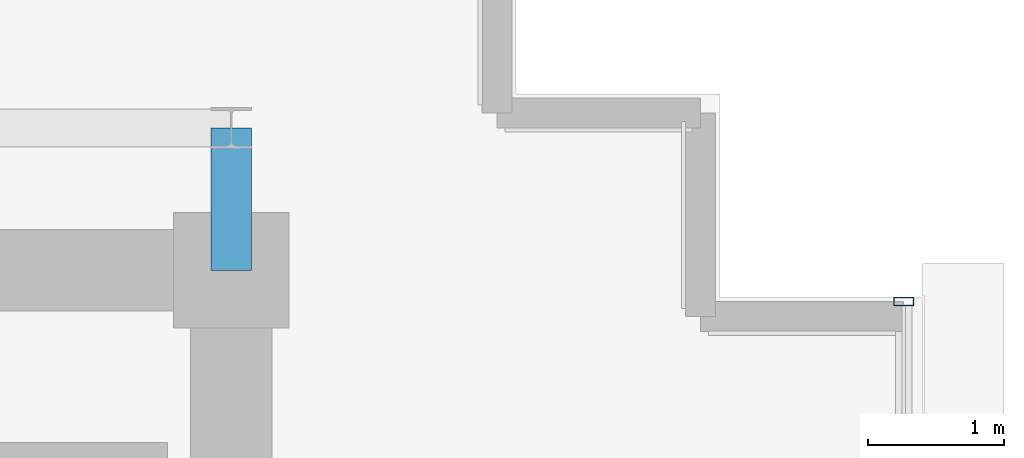
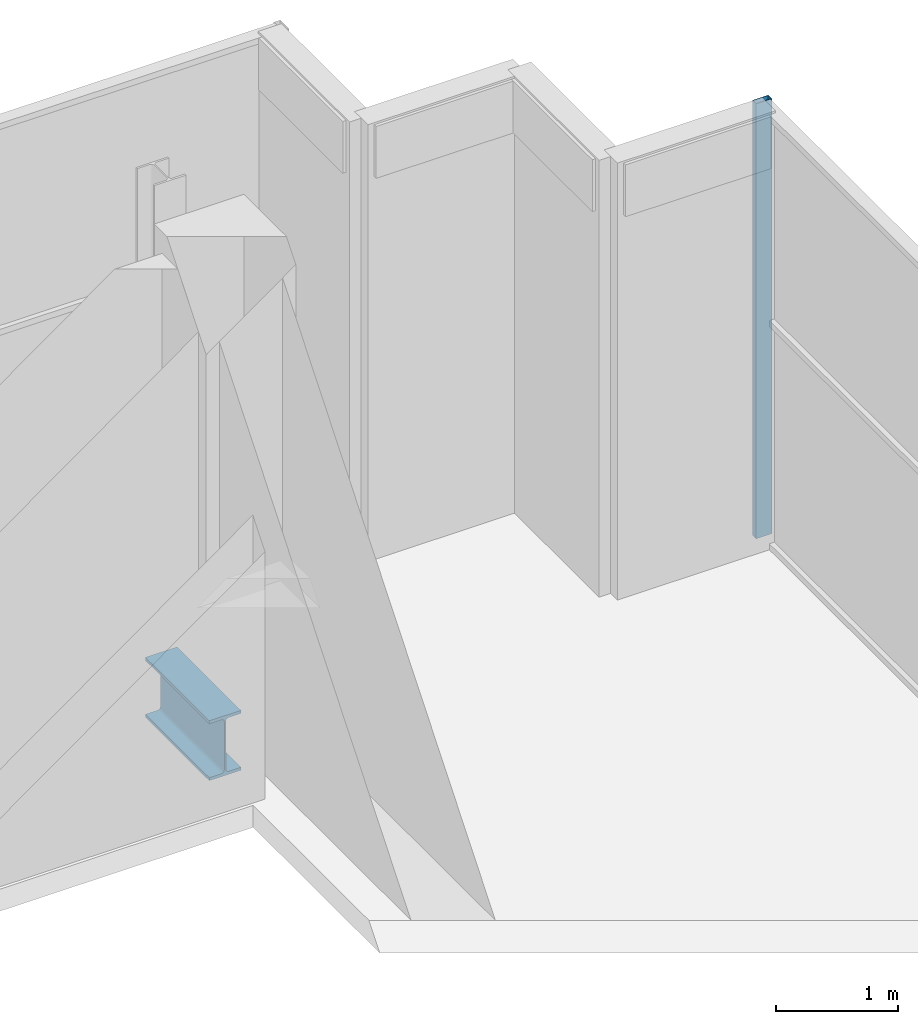
# One storey, part 18 of 26: 1 beam, 1 member, 1 element without a shape of its own.
"""IFC4 building model written with IfcOpenShell, lengths in metres."""

from ifc_helpers import new_model, si_unit, direction, frame, origin, origin_2d, place, context, subcontext, project, spatial, hollow_rectangle, i_section, extrude, source, transform, mapped, material, layer, layer_set, material_profile, profile_set, type_object, element, aggregate, save


model = new_model("IFC4")

# Units and contexts
model_context = context("Model", 3, precision=1e-05, world=origin(), true_north=direction((0.0, 1.0)))
body_context = subcontext(model_context, "Body", "Model", "MODEL_VIEW")
ifc_project = project(units=[si_unit("LENGTHUNIT", "METRE"), si_unit("AREAUNIT", "SQUARE_METRE"), si_unit("VOLUMEUNIT", "CUBIC_METRE"), si_unit("PLANEANGLEUNIT", "RADIAN"), si_unit("MASSUNIT", "GRAM", prefix="KILO")], contexts=[model_context])

# Site, building, storey
site_placement = place(None, origin())
site = spatial("IfcSite", under=ifc_project, at=site_placement, CompositionType="ELEMENT")
building_placement = place(site_placement, origin())
building = spatial("IfcBuilding", under=site, at=building_placement, Name="Zarnakvel Exchange Tower", CompositionType="ELEMENT")
storey_placement = place(building_placement, frame((0.0, 0.0, 280.800048828125)))
storey = spatial("IfcBuildingStorey", under=building, at=storey_placement, Name="Crown L79", CompositionType="ELEMENT", Elevation=280.800048828125)

# Beam
ifc_material_1 = material(Name="Steel S355", Category="steel")
ifc_material_profile_1 = material_profile(ifc_material_1, i_section(OverallWidth=0.300048828125, OverallDepth=0.60009765625, WebThickness=0.015380859375, FlangeThickness=0.030029296875, FilletRadius=0.027099609375, at=origin_2d()))
ifc_profile_set_1 = profile_set([ifc_material_profile_1], Name="Steel S355")
beam_type = type_object("IfcBeamType", Name="G-04", PredefinedType="BEAM", material=ifc_profile_set_1)
beam_placement = place(storey_placement, frame((14.39990234375, 13.5, -0.52001953125), z_axis=(0.0, 1.0, 0.0), x_axis=(-1.0, 0.0, 0.0)))
element("IfcBeam", 1, at=beam_placement, inside=storey, type_object=beam_type, Name="Crown L79 Tower N-S Frame Beam", PredefinedType="BEAM", context=body_context, shape_type="SweptSolid", body=[
    extrude(i_section(OverallWidth=0.300048828125, OverallDepth=0.60009765625, WebThickness=0.015380859375, FlangeThickness=0.030029296875, FilletRadius=0.027099609375, at=origin_2d()), origin(), (0.0, 0.0, 1.0), 1.050048828125),
])

# Curtain wall, member
ifc_material_2 = material(Name="Architectural Bronze Anodised Aluminium", Category="aluminium")
ifc_layer = layer(ifc_material_2, 0.14990234375)
ifc_layer_set = layer_set([ifc_layer], Name="Architectural Bronze Anodised Aluminium")
curtain_wall_type = type_object("IfcCurtainWallType", Name="CW-07", PredefinedType="NOTDEFINED", material=ifc_layer_set)
curtain_wall_placement = place(storey_placement, origin())
curtain_wall = element("IfcCurtainWall", 2, at=curtain_wall_placement, inside=storey, type_object=curtain_wall_type, Name="Crown L79 Curtain Wall CW-Crown L79-E (CW-07)", PredefinedType="NOTDEFINED")
ifc_material_profile_2 = material_profile(ifc_material_2, hollow_rectangle(XDim=0.14990234375, YDim=0.06005859375, WallThickness=0.00390625, at=origin_2d()))
ifc_profile_set_2 = profile_set([ifc_material_profile_2], Name="Architectural Bronze Anodised Aluminium")
member_type = type_object("IfcMemberType", Name="CWM-07", PredefinedType="MULLION", material=ifc_profile_set_2)
shared_shape = source(origin(), body_context, "Body", "SweptSolid", [
    extrude(hollow_rectangle(XDim=0.14990234375, YDim=0.06005859375, WallThickness=0.00390625, at=origin_2d()), origin(), (0.0, 0.0, 1.0), 4.35986328125),
])
member_placement = place(storey_placement, frame((19.360107421875, 13.27001953125, 0.0), z_axis=(0.0, 0.0, 1.0), x_axis=(-1.0, 0.0, 0.0)))
member = element("IfcMember", 3, at=member_placement, type_object=member_type, Name="CW-07 mullion 5", PredefinedType="MULLION", context=body_context, shape_type="MappedRepresentation", body=[
    mapped(shared_shape, transform((0.0, 0.0, 0.0), x_axis=(1.0, 0.0, 0.0), y_axis=(0.0, 1.0, 0.0), z_axis=(0.0, 0.0, 1.0), scale=1.0)),
])
aggregate(curtain_wall, [member])

save(model, "model.ifc")
